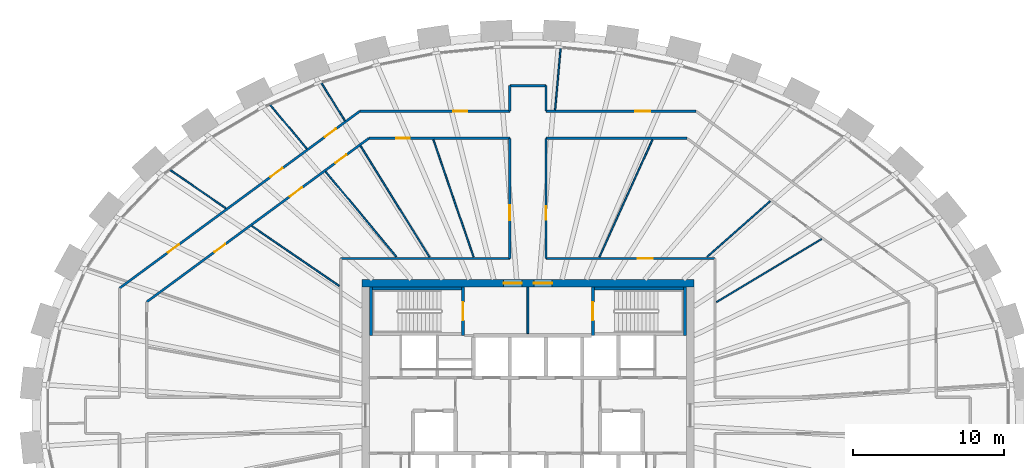
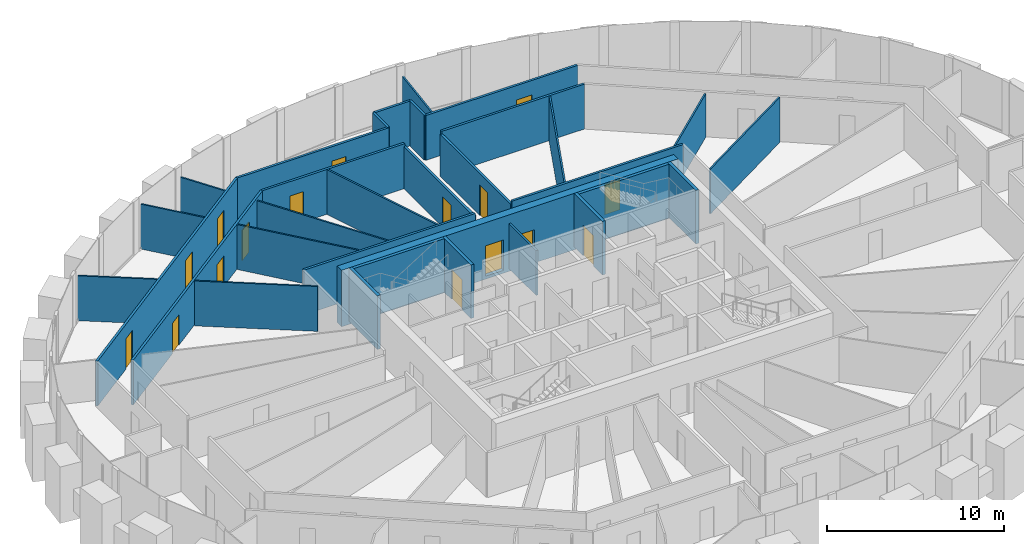
# One storey, part 10 of 12: 32 walls, 16 doors, 16 openings.
"""IFC4 building model written with IfcOpenShell, lengths in metres."""

import ifcopenshell
import ifcopenshell.guid

model = None  # the IFC model being written
_history = None  # IfcOwnerHistory: only IFC2X3 demands one
_inside = {}  # id of a spatial element -> (the spatial element, [elements in it])
_under = {}  # id of a project, library or spatial element -> (it, [spatial elements below it])
_declared = {}  # id of a project -> (the project, [libraries it declares])
_typed = {}  # id of a type object -> (the type object, [elements of that type])
_made_of = {}  # id of a material, layer set ... -> (it, [elements and type objects made of it])


def new_model(schema):
    """Start an empty IFC model of exactly this schema.

    Asked for "IFC4X3", IfcOpenShell would pick the latest addendum, in which some entities
    have other attributes; the version numbers below select the first issue.
    IFC2X3 requires an IfcOwnerHistory on every rooted entity: one is made here for all.
    """
    global model, _history
    if schema == "IFC4X3":
        model = ifcopenshell.file(schema_version=(4, 3, 0, 0))
    else:
        model = ifcopenshell.file(schema=schema)
    _inside.clear()
    _under.clear()
    _declared.clear()
    _typed.clear()
    _made_of.clear()
    _history = None
    if model.schema == "IFC2X3":
        org = make("IfcOrganization", Name="unknown")
        user = make(
            "IfcPersonAndOrganization",
            ThePerson=make("IfcPerson", FamilyName="unknown"),
            TheOrganization=org,
        )
        app = make(
            "IfcApplication",
            ApplicationDeveloper=org,
            Version="unknown",
            ApplicationFullName="unknown",
            ApplicationIdentifier="unknown",
        )
        _history = make(
            "IfcOwnerHistory",
            OwningUser=user,
            OwningApplication=app,
            ChangeAction="ADDED",
            CreationDate=0,
        )
    return model


def make(cls, **values):
    """One entity of the class cls with the attributes given. An attribute that is None is left unset."""
    return model.create_entity(
        cls, **{name: value for name, value in values.items() if value is not None}
    )


def rooted(cls, **values):
    """An entity with a GlobalId (a new one), such as an element, a storey or a relation."""
    return make(cls, GlobalId=ifcopenshell.guid.new(), OwnerHistory=_history, **values)


def si_unit(unit_type, name, prefix=None):
    """IfcSIUnit, for example si_unit("LENGTHUNIT", "METRE", prefix="MILLI")."""
    return make("IfcSIUnit", UnitType=unit_type, Prefix=prefix, Name=name)


def assignment(units):
    """IfcUnitAssignment: the units of a project."""
    return None if units is None else make("IfcUnitAssignment", Units=units)


def point(xyz):
    """IfcCartesianPoint."""
    return None if xyz is None else make("IfcCartesianPoint", Coordinates=xyz)


def direction(xyz):
    """IfcDirection."""
    return None if xyz is None else make("IfcDirection", DirectionRatios=xyz)


def frame(location, z_axis=None, x_axis=None):
    """IfcAxis2Placement3D, a coordinate frame: its origin and axes. An axis left out is left unset."""
    return make(
        "IfcAxis2Placement3D",
        Location=point(location),
        Axis=direction(z_axis),
        RefDirection=direction(x_axis),
    )


def frame_2d(location, x_axis=None):
    """IfcAxis2Placement2D, a coordinate frame in the plane: its origin and x axis."""
    return make(
        "IfcAxis2Placement2D", Location=point(location), RefDirection=direction(x_axis)
    )


def origin():
    """The frame at (0, 0, 0) with its axes left unset."""
    return frame((0.0, 0.0, 0.0))


def place(relative_to, where):
    """IfcLocalPlacement: puts the frame where relative to a parent placement (None: the world)."""
    return make(
        "IfcLocalPlacement", PlacementRelTo=relative_to, RelativePlacement=where
    )


def context(
    kind, dimensions, precision=None, world=None, true_north=None, identifier=None
):
    """IfcGeometricRepresentationContext, for example the 3D "Model" context."""
    return make(
        "IfcGeometricRepresentationContext",
        ContextIdentifier=identifier,
        ContextType=kind,
        CoordinateSpaceDimension=dimensions,
        Precision=precision,
        WorldCoordinateSystem=world,
        TrueNorth=true_north,
    )


def subcontext(parent, identifier, kind, view, scale=None):
    """IfcGeometricRepresentationSubContext, for example "Body" below "Model"."""
    return make(
        "IfcGeometricRepresentationSubContext",
        ContextIdentifier=identifier,
        ContextType=kind,
        ParentContext=parent,
        TargetScale=scale,
        TargetView=view,
    )


def project(units=None, contexts=None):
    """IfcProject with its units and contexts."""
    return rooted(
        "IfcProject",
        Name="project",
        RepresentationContexts=contexts,
        UnitsInContext=assignment(units),
    )


def spatial(cls, under=None, at=None, **own):
    """A site, building, storey or space (cls), placed at a placement, below another one or the project."""
    s = rooted(cls, ObjectPlacement=at, **own)
    if under is not None:
        _under.setdefault(under.id(), (under, []))[1].append(s)
    return s


def profile(cls, at=None, kind="AREA", **sizes):
    """A parametric profile (cls). Its sizes go by their IFC names, for example OverallWidth=200.0."""
    return make(cls, ProfileType=kind, Position=at, **sizes)


def rectangle(**sizes):
    """IfcRectangleProfileDef."""
    return profile("IfcRectangleProfileDef", **sizes)


def extrude(swept, where, along, depth):
    """IfcExtrudedAreaSolid: the profile swept, set in the frame where, extruded along a direction by depth."""
    return make(
        "IfcExtrudedAreaSolid",
        SweptArea=swept,
        Position=where,
        ExtrudedDirection=direction(along),
        Depth=depth,
    )


def shape(context_of_items, identifier, shape_type, items):
    """IfcShapeRepresentation: the items that make up one representation, for example the "Body"."""
    return make(
        "IfcShapeRepresentation",
        ContextOfItems=context_of_items,
        RepresentationIdentifier=identifier,
        RepresentationType=shape_type,
        Items=items,
    )


def source(mapping_origin, context_of_items, identifier, shape_type, items):
    """IfcRepresentationMap: a shape defined once, which mapped items show again and again."""
    return make(
        "IfcRepresentationMap",
        MappingOrigin=mapping_origin,
        MappedRepresentation=shape(context_of_items, identifier, shape_type, items),
    )


def transform(
    local_origin,
    x_axis=None,
    y_axis=None,
    z_axis=None,
    scale=None,
    scale2=None,
    scale3=None,
    uniform=True,
):
    """IfcCartesianTransformationOperator3D, or its non-uniform kind. x_axis, y_axis, z_axis: its Axis1, 2, 3."""
    if uniform:
        return make(
            "IfcCartesianTransformationOperator3D",
            Axis1=direction(x_axis),
            Axis2=direction(y_axis),
            LocalOrigin=point(local_origin),
            Scale=scale,
            Axis3=direction(z_axis),
        )
    return make(
        "IfcCartesianTransformationOperator3DnonUniform",
        Axis1=direction(x_axis),
        Axis2=direction(y_axis),
        LocalOrigin=point(local_origin),
        Scale=scale,
        Axis3=direction(z_axis),
        Scale2=scale2,
        Scale3=scale3,
    )


def mapped(mapping_source, mapping_target):
    """IfcMappedItem: shows the shape of a source again, moved by a transform."""
    return make(
        "IfcMappedItem", MappingSource=mapping_source, MappingTarget=mapping_target
    )


def material(Name=None, Category=None):
    """IfcMaterial."""
    return make("IfcMaterial", Name=Name, Category=Category)


def layer(
    of_material, thickness, ventilated=None, Name=None, Category=None, Priority=None
):
    """IfcMaterialLayer: one layer of a wall or slab, of a material (None: an air gap)."""
    return make(
        "IfcMaterialLayer",
        Material=of_material,
        LayerThickness=thickness,
        IsVentilated=ventilated,
        Name=Name,
        Category=Category,
        Priority=Priority,
    )


def layer_set(layers, Name=None):
    """IfcMaterialLayerSet."""
    return make("IfcMaterialLayerSet", MaterialLayers=layers, LayerSetName=Name)


def made_of(thing, what):
    """Note that an element or type object is made of a material, layer set ...; save() writes the relation."""
    if what is not None:
        _made_of.setdefault(what.id(), (what, []))[1].append(thing)
    return thing


def type_object(cls, material=None, **own):
    """A type object (cls), such as IfcWallType, which elements share."""
    return made_of(rooted(cls, **own), material)


def element(
    cls,
    number,
    at=None,
    inside=None,
    cuts=None,
    type_object=None,
    material=None,
    context=None,
    identifier="Body",
    shape_type=None,
    held_by="IfcProductDefinitionShape",
    body=None,
    shapes=None,
    **own,
):
    """One element of the class cls, such as IfcWall. Its Tag is "e" and its number.

    at: its placement. inside: the storey or other place that contains it. cuts: it is an
    opening in that element (IfcRelVoidsElement). A single representation is given by context,
    identifier, shape_type and body (its items); several are given by shapes. held_by: the class
    of the entity that holds the representations. save() writes the other relations.
    """
    e = rooted(cls, Tag="e%d" % number, ObjectPlacement=at, **own)
    if body is not None:
        shapes = [shape(context, identifier, shape_type, body)]
    if shapes is not None:
        e.Representation = make(held_by, Representations=shapes)
    if inside is not None:
        _inside.setdefault(inside.id(), (inside, []))[1].append(e)
    if cuts is not None:
        rooted(
            "IfcRelVoidsElement", RelatingBuildingElement=cuts, RelatedOpeningElement=e
        )
    if type_object is not None:
        _typed.setdefault(type_object.id(), (type_object, []))[1].append(e)
    return made_of(e, material)


def fill(opening, filler):
    """IfcRelFillsElement: the door or window that sits in an opening."""
    return rooted(
        "IfcRelFillsElement",
        RelatingOpeningElement=opening,
        RelatedBuildingElement=filler,
    )


def aggregate(whole, parts):
    """IfcRelAggregates: a whole, such as a stair, and the parts it consists of."""
    return rooted("IfcRelAggregates", RelatingObject=whole, RelatedObjects=parts)


def save(model, path):
    """Write the relations noted so far, then the file.

    IfcRelAggregates (storeys below a building ...), IfcRelContainedInSpatialStructure (elements
    in a storey), IfcRelDefinesByType, IfcRelAssociatesMaterial and IfcRelDeclares: one each for
    every whole, place, type object, material and project.
    """
    for whole, parts in _under.values():
        aggregate(whole, parts)
    for where, things in _inside.values():
        rooted(
            "IfcRelContainedInSpatialStructure",
            RelatedElements=things,
            RelatingStructure=where,
        )
    for kind, things in _typed.values():
        rooted("IfcRelDefinesByType", RelatedObjects=things, RelatingType=kind)
    for what, things in _made_of.values():
        rooted("IfcRelAssociatesMaterial", RelatedObjects=things, RelatingMaterial=what)
    for by, libraries in _declared.values():
        rooted("IfcRelDeclares", RelatingContext=by, RelatedDefinitions=libraries)
    model.write(path)


model = new_model("IFC4")

# Units and contexts
model_context = context("Model", 3, precision=1e-05, world=origin(), true_north=direction((0.0, 1.0)))
body_context = subcontext(model_context, "Body", "Model", "MODEL_VIEW")
ifc_project = project(units=[si_unit("LENGTHUNIT", "METRE"), si_unit("AREAUNIT", "SQUARE_METRE"), si_unit("VOLUMEUNIT", "CUBIC_METRE"), si_unit("PLANEANGLEUNIT", "RADIAN"), si_unit("MASSUNIT", "GRAM", prefix="KILO")], contexts=[model_context])

# Site, building, storey
site_placement = place(None, origin())
site = spatial("IfcSite", under=ifc_project, at=site_placement, CompositionType="ELEMENT")
building_placement = place(site_placement, origin())
building = spatial("IfcBuilding", under=site, at=building_placement, Name="Embergate Tower", CompositionType="ELEMENT")
storey_placement = place(building_placement, frame((0.0, 0.0, 261.699951171875)))
storey = spatial("IfcBuildingStorey", under=building, at=storey_placement, Name="L60", CompositionType="ELEMENT", Elevation=261.699951171875)

# Wall, openings, doors
ifc_material_1 = material(Name="Concrete C50", Category="concrete")
ifc_layer_1 = layer(ifc_material_1, 0.5)
ifc_layer_set_1 = layer_set([ifc_layer_1], Name="Concrete C50")
wall_type_1 = type_object("IfcWallType", Name="Core outer wall C50 500", PredefinedType="SHEAR", material=ifc_layer_set_1)
shared_shape_1 = source(origin(), body_context, "Body", "SweptSolid", [
    extrude(rectangle(XDim=22.0, YDim=0.5, at=frame_2d((11.0, 0.0))), origin(), (0.0, 0.0, 1.0), 3.89990234375),
])
wall_1_placement = place(storey_placement, frame((-11.0, 8.75, -0.199951171875), z_axis=(0.0, 0.0, 1.0), x_axis=(1.0, 0.0, 0.0)))
wall_1 = element("IfcWall", 1, at=wall_1_placement, inside=storey, type_object=wall_type_1, Name="CW-L60-N", PredefinedType="SHEAR", context=body_context, shape_type="MappedRepresentation", body=[
    mapped(shared_shape_1, transform((0.0, 0.0, 0.0))),
])
shared_shape_2 = source(origin(), body_context, "Body", "SweptSolid", [
    extrude(rectangle(XDim=1.199951171875, YDim=2.10009765625, at=frame_2d((0.60009765625, 1.050048828125))), frame((0.0, 0.260009765625, 0.0), z_axis=(0.0, -1.0, 0.0), x_axis=(1.0, 0.0, 0.0)), (0.0, 0.0, 1.0), 0.52001953125),
])
opening_1_placement = place(wall_1_placement, frame((9.39990234375, 0.0, 0.199951171875)))
opening_1 = element("IfcOpeningElement", 2, at=opening_1_placement, cuts=wall_1, Name="Opening IF-1", PredefinedType="OPENING", context=body_context, shape_type="MappedRepresentation", body=[
    mapped(shared_shape_2, transform((0.0, 0.0, 0.0))),
])
opening_2_placement = place(wall_1_placement, frame((11.39990234375, 0.0, 0.199951171875)))
opening_2 = element("IfcOpeningElement", 3, at=opening_2_placement, cuts=wall_1, Name="Opening IF-1", PredefinedType="OPENING", context=body_context, shape_type="MappedRepresentation", body=[
    mapped(shared_shape_2, transform((0.0, 0.0, 0.0))),
])
ifc_material_2 = material(Name="Escape fire door 1200")
door_type_1 = type_object("IfcDoorType", Name="Escape fire door 1200", OperationType="SINGLE_SWING_LEFT", PredefinedType="DOOR", material=ifc_material_2)
shared_shape_3 = source(origin(), body_context, "Body", "SweptSolid", [
    extrude(rectangle(XDim=1.199951171875, YDim=2.10009765625, at=frame_2d((0.60009765625, 1.050048828125))), frame((0.0, 0.02490234375, 0.0), z_axis=(0.0, -1.0, 0.0), x_axis=(1.0, 0.0, 0.0)), (0.0, 0.0, 1.0), 0.050048828125),
])
door_1_placement = place(opening_1_placement, origin())
door_1 = element("IfcDoor", 4, at=door_1_placement, inside=storey, type_object=door_type_1, Name="IF-1 door", OperationType="SINGLE_SWING_RIGHT", OverallHeight=2.10009765625, OverallWidth=1.199951171875, PredefinedType="DOOR", context=body_context, shape_type="MappedRepresentation", body=[
    mapped(shared_shape_3, transform((0.0, 0.0, 0.0))),
])
fill(opening_1, door_1)
door_2_placement = place(opening_2_placement, origin())
door_2 = element("IfcDoor", 5, at=door_2_placement, inside=storey, type_object=door_type_1, Name="IF-1 door", OperationType="SINGLE_SWING_LEFT", OverallHeight=2.10009765625, OverallWidth=1.199951171875, PredefinedType="DOOR", context=body_context, shape_type="MappedRepresentation", body=[
    mapped(shared_shape_3, transform((0.0, 0.0, 0.0))),
])
fill(opening_2, door_2)

# Wall, opening, door
ifc_layer_2 = layer(ifc_material_1, 0.199951171875)
ifc_layer_set_2 = layer_set([ifc_layer_2], Name="Concrete C50")
wall_type_2 = type_object("IfcWallType", Name="Stair enclosure wall reinforced concrete 250", PredefinedType="SHEAR", material=ifc_layer_set_2)
shared_shape_4 = source(origin(), body_context, "Body", "SweptSolid", [
    extrude(rectangle(XDim=3.199951171875, YDim=0.199951171875, at=frame_2d((1.60009765625, 0.0))), origin(), (0.0, 0.0, 1.0), 3.699951171875),
])
wall_2_placement = place(storey_placement, frame((-4.300048828125, 5.300048828125, 0.0), z_axis=(0.0, 0.0, 1.0), x_axis=(0.0, 1.0, 0.0)))
wall_2 = element("IfcWall", 6, at=wall_2_placement, inside=storey, type_object=wall_type_2, Name="SE-1 wall", PredefinedType="SHEAR", context=body_context, shape_type="MappedRepresentation", body=[
    mapped(shared_shape_4, transform((0.0, 0.0, 0.0))),
])
shared_shape_5 = source(origin(), body_context, "Body", "SweptSolid", [
    extrude(rectangle(XDim=1.199951171875, YDim=2.10009765625, at=frame_2d((0.60009765625, 1.050048828125))), frame((0.0, 0.10986328125, 0.0), z_axis=(0.0, -1.0, 0.0), x_axis=(1.0, 0.0, 0.0)), (0.0, 0.0, 1.0), 0.219970703125),
])
opening_3_placement = place(wall_2_placement, frame((1.0, 0.0, 0.0)))
opening_3 = element("IfcOpeningElement", 7, at=opening_3_placement, cuts=wall_2, Name="Opening IF-2", PredefinedType="OPENING", context=body_context, shape_type="MappedRepresentation", body=[
    mapped(shared_shape_5, transform((0.0, 0.0, 0.0))),
])
ifc_material_3 = material(Name="Stair enclosure door 1200")
door_type_2 = type_object("IfcDoorType", Name="Stair enclosure door 1200", OperationType="SINGLE_SWING_LEFT", PredefinedType="DOOR", material=ifc_material_3)
door_3_placement = place(opening_3_placement, origin())
door_3 = element("IfcDoor", 8, at=door_3_placement, inside=storey, type_object=door_type_2, Name="IF-2 door", OperationType="SINGLE_SWING_RIGHT", OverallHeight=2.10009765625, OverallWidth=1.199951171875, PredefinedType="DOOR", context=body_context, shape_type="MappedRepresentation", body=[
    mapped(shared_shape_3, transform((0.0, 0.0, 0.0))),
])
fill(opening_3, door_3)

wall_3_placement = place(storey_placement, frame((4.300048828125, 8.5, 0.0), z_axis=(0.0, 0.0, 1.0), x_axis=(0.0, -1.0, 0.0)))
wall_3 = element("IfcWall", 9, at=wall_3_placement, inside=storey, type_object=wall_type_2, Name="SE-1 wall", PredefinedType="SHEAR", context=body_context, shape_type="MappedRepresentation", body=[
    mapped(shared_shape_4, transform((0.0, 0.0, 0.0))),
])
opening_4_placement = place(wall_3_placement, frame((1.0, 0.0, 0.0)))
opening_4 = element("IfcOpeningElement", 10, at=opening_4_placement, cuts=wall_3, Name="Opening IF-2", PredefinedType="OPENING", context=body_context, shape_type="MappedRepresentation", body=[
    mapped(shared_shape_5, transform((0.0, 0.0, 0.0))),
])
door_4_placement = place(opening_4_placement, origin())
door_4 = element("IfcDoor", 11, at=door_4_placement, inside=storey, type_object=door_type_2, Name="IF-2 door", OperationType="SINGLE_SWING_RIGHT", OverallHeight=2.10009765625, OverallWidth=1.199951171875, PredefinedType="DOOR", context=body_context, shape_type="MappedRepresentation", body=[
    mapped(shared_shape_3, transform((0.0, 0.0, 0.0))),
])
fill(opening_4, door_4)

# Walls
shared_shape_6 = source(origin(), body_context, "Body", "SweptSolid", [
    extrude(rectangle(XDim=6.298095703125, YDim=0.199951171875, at=frame_2d((3.14892578125, 0.0))), origin(), (0.0, 0.0, 1.0), 3.699951171875),
])
for number, where, z_axis, x_axis, name in (
    (12, (-4.201904296875, 8.39990234375, 0.0), (0.0, 0.0, 1.0), (-1.0, 0.0, 0.0), "SE-1 wall"),
    (13, (10.5, 8.39990234375, 0.0), (0.0, 0.0, 1.0), (-1.0, 0.0, 0.0), "SE-1 wall"),
):
    element("IfcWall", number, at=place(storey_placement, frame(where, z_axis=z_axis, x_axis=x_axis)), inside=storey, type_object=wall_type_2, Name=name, PredefinedType="SHEAR", context=body_context, shape_type="MappedRepresentation", body=[
        mapped(shared_shape_6, transform((0.0, 0.0, 0.0))),
    ])
shared_shape_7 = source(origin(), body_context, "Body", "SweptSolid", [
    extrude(rectangle(XDim=3.197998046875, YDim=0.199951171875, at=frame_2d((1.59912109375, 0.0))), origin(), (0.0, 0.0, 1.0), 3.699951171875),
])
for number, where, z_axis, x_axis, name in (
    (14, (-10.39990234375, 8.5, 0.0), (0.0, 0.0, 1.0), (0.0, -1.0, 0.0), "SE-1 wall"),
    (15, (10.39990234375, 5.302001953125, 0.0), (0.0, 0.0, 1.0), (0.0, 1.0, 0.0), "SE-1 wall"),
):
    element("IfcWall", number, at=place(storey_placement, frame(where, z_axis=z_axis, x_axis=x_axis)), inside=storey, type_object=wall_type_2, Name=name, PredefinedType="SHEAR", context=body_context, shape_type="MappedRepresentation", body=[
        mapped(shared_shape_7, transform((0.0, 0.0, 0.0))),
    ])

# Wall, opening, door
ifc_material_4 = material(Name="Corridor wall dry-lined 150")
ifc_layer_3 = layer(ifc_material_4, 0.14990234375)
ifc_layer_set_3 = layer_set([ifc_layer_3], Name="Corridor wall dry-lined 150")
wall_type_3 = type_object("IfcWallType", Name="Corridor wall dry-lined 150", PredefinedType="PARTITIONING", material=ifc_layer_set_3)
shared_shape_8 = source(origin(), body_context, "Body", "SweptSolid", [
    extrude(rectangle(XDim=11.199951171875, YDim=0.14990234375, at=frame_2d((5.60009765625, 0.0))), origin(), (0.0, 0.0, 1.0), 3.10009765625),
])
wall_4_placement = place(storey_placement, frame((1.199951171875, 10.39990234375, 0.0), z_axis=(0.0, 0.0, 1.0), x_axis=(1.0, 0.0, 0.0)))
wall_4 = element("IfcWall", 16, at=wall_4_placement, inside=storey, type_object=wall_type_3, Name="IP-2 wall", PredefinedType="PARTITIONING", context=body_context, shape_type="MappedRepresentation", body=[
    mapped(shared_shape_8, transform((0.0, 0.0, 0.0))),
])
shared_shape_9 = source(origin(), body_context, "Body", "SweptSolid", [
    extrude(rectangle(XDim=1.0, YDim=2.10009765625, at=frame_2d((0.5, 1.050048828125))), frame((0.0, 0.0849609375, 0.0), z_axis=(0.0, -1.0, 0.0), x_axis=(1.0, 0.0, 0.0)), (0.0, 0.0, 1.0), 0.169921875),
])
opening_5_placement = place(wall_4_placement, frame((6.089111328125, 0.0, 0.0)))
opening_5 = element("IfcOpeningElement", 17, at=opening_5_placement, cuts=wall_4, Name="Opening ID-2", PredefinedType="OPENING", context=body_context, shape_type="MappedRepresentation", body=[
    mapped(shared_shape_9, transform((0.0, 0.0, 0.0))),
])
ifc_material_5 = material(Name="Interior door 1000")
door_type_3 = type_object("IfcDoorType", Name="Interior door 1000", OperationType="SINGLE_SWING_LEFT", PredefinedType="DOOR", material=ifc_material_5)
shared_shape_10 = source(origin(), body_context, "Body", "SweptSolid", [
    extrude(rectangle(XDim=1.0, YDim=2.10009765625, at=frame_2d((0.5, 1.050048828125))), frame((0.0, 0.02490234375, 0.0), z_axis=(0.0, -1.0, 0.0), x_axis=(1.0, 0.0, 0.0)), (0.0, 0.0, 1.0), 0.050048828125),
])
door_5_placement = place(opening_5_placement, origin())
door_5 = element("IfcDoor", 18, at=door_5_placement, inside=storey, type_object=door_type_3, Name="ID-2 door", OperationType="SINGLE_SWING_LEFT", OverallHeight=2.10009765625, OverallWidth=1.0, PredefinedType="DOOR", context=body_context, shape_type="MappedRepresentation", body=[
    mapped(shared_shape_10, transform((0.0, 0.0, 0.0))),
])
fill(opening_5, door_5)

# Walls
wall_5_placement = place(storey_placement, frame((-12.39990234375, 10.39990234375, 0.0), z_axis=(0.0, 0.0, 1.0), x_axis=(1.0, 0.0, 0.0)))
element("IfcWall", 19, at=wall_5_placement, inside=storey, type_object=wall_type_3, Name="IP-2 wall", PredefinedType="PARTITIONING", context=body_context, shape_type="MappedRepresentation", body=[
    mapped(shared_shape_8, transform((0.0, 0.0, 0.0))),
])
shared_shape_11 = source(origin(), body_context, "Body", "SweptSolid", [
    extrude(rectangle(XDim=2.39990234375, YDim=0.14990234375, at=frame_2d((1.199951171875, 0.0))), origin(), (0.0, 0.0, 1.0), 3.10009765625),
])
wall_6_placement = place(storey_placement, frame((-1.199951171875, 21.845947265625, 0.0), z_axis=(0.0, 0.0, 1.0), x_axis=(1.0, 0.0, 0.0)))
element("IfcWall", 20, at=wall_6_placement, inside=storey, type_object=wall_type_3, Name="IP-2 wall", PredefinedType="PARTITIONING", context=body_context, shape_type="MappedRepresentation", body=[
    mapped(shared_shape_11, transform((0.0, 0.0, 0.0))),
])
ifc_material_6 = material(Name="Core partition blockwork 120")
ifc_layer_4 = layer(ifc_material_6, 0.1201171875)
ifc_layer_set_4 = layer_set([ifc_layer_4], Name="Core partition blockwork 120")
wall_type_4 = type_object("IfcWallType", Name="Core partition blockwork 120", PredefinedType="PARTITIONING", material=ifc_layer_set_4)
shared_shape_12 = source(origin(), body_context, "Body", "SweptSolid", [
    extrude(rectangle(XDim=3.074951171875, YDim=0.1201171875, at=frame_2d((1.53759765625, 0.0))), origin(), (0.0, 0.0, 1.0), 3.10009765625),
])
wall_7_placement = place(storey_placement, frame((0.0, 5.425048828125, 0.0), z_axis=(0.0, 0.0, 1.0), x_axis=(0.0, 1.0, 0.0)))
element("IfcWall", 21, at=wall_7_placement, inside=storey, type_object=wall_type_4, Name="IP-3 wall", PredefinedType="PARTITIONING", context=body_context, shape_type="MappedRepresentation", body=[
    mapped(shared_shape_12, transform((0.0, 0.0, 0.0))),
])
ifc_material_7 = material(Name="Partition dry-lined 100")
ifc_layer_5 = layer(ifc_material_7, 0.10009765625)
ifc_layer_set_5 = layer_set([ifc_layer_5], Name="Partition dry-lined 100")
wall_type_5 = type_object("IfcWallType", Name="Partition dry-lined 100", PredefinedType="PARTITIONING", material=ifc_layer_set_5)
shared_shape_13 = source(origin(), body_context, "Body", "SweptSolid", [
    extrude(rectangle(XDim=5.559814453125, YDim=0.10009765625, at=frame_2d((2.77978515625, 0.0))), origin(), (0.0, 0.0, 1.0), 3.0),
])
wall_8_placement = place(storey_placement, frame((11.8779296875, 10.511962890625, 0.0), z_axis=(0.0, 0.0, 1.0), x_axis=(0.748788663008, 0.662808824738, 0.0)))
element("IfcWall", 22, at=wall_8_placement, inside=storey, type_object=wall_type_5, Name="IP-1 wall", PredefinedType="PARTITIONING", context=body_context, shape_type="MappedRepresentation", body=[
    mapped(shared_shape_13, transform((0.0, 0.0, 0.0))),
])

# Wall, openings, doors
shared_shape_14 = source(origin(), body_context, "Body", "SweptSolid", [
    extrude(rectangle(XDim=19.77294921875, YDim=0.14990234375, at=frame_2d((9.886474609375, 0.0))), origin(), (0.0, 0.0, 1.0), 3.10009765625),
])
wall_9_placement = place(storey_placement, frame((-27.0458984375, 8.431884765625, 0.0), z_axis=(0.0, 0.0, 1.0), x_axis=(0.805138380898, 0.593086998344, 0.0)))
wall_9 = element("IfcWall", 23, at=wall_9_placement, inside=storey, type_object=wall_type_3, Name="IP-2 wall", PredefinedType="PARTITIONING", context=body_context, shape_type="MappedRepresentation", body=[
    mapped(shared_shape_14, transform((0.0, 0.0, 0.0))),
])
shared_shape_15 = source(origin(), body_context, "Body", "SweptSolid", [
    extrude(rectangle(XDim=0.89990234375, YDim=2.10009765625, at=frame_2d((0.449951171875, 1.050048828125))), frame((0.0, 0.0849609375, 0.0), z_axis=(0.0, -1.0, 0.0), x_axis=(1.0, 0.0, 0.0)), (0.0, 0.0, 1.0), 0.169921875),
])
opening_6_placement = place(wall_9_placement, frame((16.898193359375, 0.0, 0.0)))
opening_6 = element("IfcOpeningElement", 24, at=opening_6_placement, cuts=wall_9, Name="Opening IF-1c", PredefinedType="OPENING", context=body_context, shape_type="MappedRepresentation", body=[
    mapped(shared_shape_15, transform((0.0, 0.0, 0.0))),
])
opening_7_placement = place(wall_9_placement, frame((12.401611328125, 0.0, 0.0)))
opening_7 = element("IfcOpeningElement", 25, at=opening_7_placement, cuts=wall_9, Name="Opening ID-2", PredefinedType="OPENING", context=body_context, shape_type="MappedRepresentation", body=[
    mapped(shared_shape_9, transform((0.0, 0.0, 0.0))),
])
opening_8_placement = place(wall_9_placement, frame((3.98876953125, 0.0, 0.0)))
opening_8 = element("IfcOpeningElement", 26, at=opening_8_placement, cuts=wall_9, Name="Opening IF-1c", PredefinedType="OPENING", context=body_context, shape_type="MappedRepresentation", body=[
    mapped(shared_shape_15, transform((0.0, 0.0, 0.0))),
])
ifc_material_8 = material(Name="Escape fire door 900")
door_type_4 = type_object("IfcDoorType", Name="Escape fire door 900", OperationType="SINGLE_SWING_LEFT", PredefinedType="DOOR", material=ifc_material_8)
shared_shape_16 = source(origin(), body_context, "Body", "SweptSolid", [
    extrude(rectangle(XDim=0.89990234375, YDim=2.10009765625, at=frame_2d((0.449951171875, 1.050048828125))), frame((0.0, 0.02490234375, 0.0), z_axis=(0.0, -1.0, 0.0), x_axis=(1.0, 0.0, 0.0)), (0.0, 0.0, 1.0), 0.050048828125),
])
door_6_placement = place(opening_6_placement, origin())
door_6 = element("IfcDoor", 27, at=door_6_placement, inside=storey, type_object=door_type_4, Name="IF-1 door", OperationType="SINGLE_SWING_RIGHT", OverallHeight=2.10009765625, OverallWidth=0.89990234375, PredefinedType="DOOR", context=body_context, shape_type="MappedRepresentation", body=[
    mapped(shared_shape_16, transform((0.0, 0.0, 0.0))),
])
fill(opening_6, door_6)
door_7_placement = place(opening_8_placement, origin())
door_7 = element("IfcDoor", 28, at=door_7_placement, inside=storey, type_object=door_type_4, Name="IF-1 door", OperationType="SINGLE_SWING_RIGHT", OverallHeight=2.10009765625, OverallWidth=0.89990234375, PredefinedType="DOOR", context=body_context, shape_type="MappedRepresentation", body=[
    mapped(shared_shape_16, transform((0.0, 0.0, 0.0))),
])
fill(opening_8, door_7)
door_8_placement = place(opening_7_placement, origin())
door_8 = element("IfcDoor", 29, at=door_8_placement, inside=storey, type_object=door_type_3, Name="ID-2 door", OperationType="SINGLE_SWING_RIGHT", OverallHeight=2.10009765625, OverallWidth=1.0, PredefinedType="DOOR", context=body_context, shape_type="MappedRepresentation", body=[
    mapped(shared_shape_10, transform((0.0, 0.0, 0.0))),
])
fill(opening_7, door_8)

shared_shape_17 = source(origin(), body_context, "Body", "SweptSolid", [
    extrude(rectangle(XDim=18.27197265625, YDim=0.14990234375, at=frame_2d((9.135986328125, 0.0))), origin(), (0.0, 0.0, 1.0), 3.10009765625),
])
wall_10_placement = place(storey_placement, frame((-25.24609375, 7.52294921875, 0.0), z_axis=(0.0, 0.0, 1.0), x_axis=(0.805176050135, 0.593035857507, 0.0)))
wall_10 = element("IfcWall", 30, at=wall_10_placement, inside=storey, type_object=wall_type_3, Name="IP-2 wall", PredefinedType="PARTITIONING", context=body_context, shape_type="MappedRepresentation", body=[
    mapped(shared_shape_17, transform((0.0, 0.0, 0.0))),
])
opening_9_placement = place(wall_10_placement, frame((15.531982421875, 0.0, 0.0)))
opening_9 = element("IfcOpeningElement", 31, at=opening_9_placement, cuts=wall_10, Name="Opening IF-1c", PredefinedType="OPENING", context=body_context, shape_type="MappedRepresentation", body=[
    mapped(shared_shape_15, transform((0.0, 0.0, 0.0))),
])
opening_10_placement = place(wall_10_placement, frame((11.779296875, 0.0, 0.0)))
opening_10 = element("IfcOpeningElement", 32, at=opening_10_placement, cuts=wall_10, Name="Opening ID-2", PredefinedType="OPENING", context=body_context, shape_type="MappedRepresentation", body=[
    mapped(shared_shape_9, transform((0.0, 0.0, 0.0))),
])
opening_11_placement = place(wall_10_placement, frame((5.5576171875, 0.0, 0.0)))
opening_11 = element("IfcOpeningElement", 33, at=opening_11_placement, cuts=wall_10, Name="Opening IF-1c", PredefinedType="OPENING", context=body_context, shape_type="MappedRepresentation", body=[
    mapped(shared_shape_15, transform((0.0, 0.0, 0.0))),
])
door_9_placement = place(opening_9_placement, origin())
door_9 = element("IfcDoor", 34, at=door_9_placement, inside=storey, type_object=door_type_4, Name="IF-1 door", OperationType="SINGLE_SWING_LEFT", OverallHeight=2.10009765625, OverallWidth=0.89990234375, PredefinedType="DOOR", context=body_context, shape_type="MappedRepresentation", body=[
    mapped(shared_shape_16, transform((0.0, 0.0, 0.0))),
])
fill(opening_9, door_9)
door_10_placement = place(opening_11_placement, origin())
door_10 = element("IfcDoor", 35, at=door_10_placement, inside=storey, type_object=door_type_4, Name="IF-1 door", OperationType="SINGLE_SWING_RIGHT", OverallHeight=2.10009765625, OverallWidth=0.89990234375, PredefinedType="DOOR", context=body_context, shape_type="MappedRepresentation", body=[
    mapped(shared_shape_16, transform((0.0, 0.0, 0.0))),
])
fill(opening_11, door_10)
door_11_placement = place(opening_10_placement, origin())
door_11 = element("IfcDoor", 36, at=door_11_placement, inside=storey, type_object=door_type_3, Name="ID-2 door", OperationType="SINGLE_SWING_LEFT", OverallHeight=2.10009765625, OverallWidth=1.0, PredefinedType="DOOR", context=body_context, shape_type="MappedRepresentation", body=[
    mapped(shared_shape_10, transform((0.0, 0.0, 0.0))),
])
fill(opening_10, door_11)

# Wall, opening, door
shared_shape_18 = source(origin(), body_context, "Body", "SweptSolid", [
    extrude(rectangle(XDim=9.926025390625, YDim=0.14990234375, at=frame_2d((4.962890625, 0.0))), origin(), (0.0, 0.0, 1.0), 3.10009765625),
])
wall_11_placement = place(storey_placement, frame((1.199951171875, 20.158935546875, 0.0), z_axis=(0.0, 0.0, 1.0), x_axis=(1.0, 0.0, 0.0)))
wall_11 = element("IfcWall", 37, at=wall_11_placement, inside=storey, type_object=wall_type_3, Name="IP-2 wall", PredefinedType="PARTITIONING", context=body_context, shape_type="MappedRepresentation", body=[
    mapped(shared_shape_18, transform((0.0, 0.0, 0.0))),
])
opening_12_placement = place(wall_11_placement, frame((5.9208984375, 0.0, 0.0)))
opening_12 = element("IfcOpeningElement", 38, at=opening_12_placement, cuts=wall_11, Name="Opening ID-2", PredefinedType="OPENING", context=body_context, shape_type="MappedRepresentation", body=[
    mapped(shared_shape_9, transform((0.0, 0.0, 0.0))),
])
door_12_placement = place(opening_12_placement, origin())
door_12 = element("IfcDoor", 39, at=door_12_placement, inside=storey, type_object=door_type_3, Name="ID-2 door", OperationType="SINGLE_SWING_RIGHT", OverallHeight=2.10009765625, OverallWidth=1.0, PredefinedType="DOOR", context=body_context, shape_type="MappedRepresentation", body=[
    mapped(shared_shape_10, transform((0.0, 0.0, 0.0))),
])
fill(opening_12, door_12)

wall_12_placement = place(storey_placement, frame((-11.1259765625, 20.158935546875, 0.0), z_axis=(0.0, 0.0, 1.0), x_axis=(1.0, 0.0, 0.0)))
wall_12 = element("IfcWall", 40, at=wall_12_placement, inside=storey, type_object=wall_type_3, Name="IP-2 wall", PredefinedType="PARTITIONING", context=body_context, shape_type="MappedRepresentation", body=[
    mapped(shared_shape_18, transform((0.0, 0.0, 0.0))),
])
opening_13_placement = place(wall_12_placement, frame((6.197509765625, 0.0, 0.0)))
opening_13 = element("IfcOpeningElement", 41, at=opening_13_placement, cuts=wall_12, Name="Opening IF-1c", PredefinedType="OPENING", context=body_context, shape_type="MappedRepresentation", body=[
    mapped(shared_shape_15, transform((0.0, 0.0, 0.0))),
])
door_13_placement = place(opening_13_placement, origin())
door_13 = element("IfcDoor", 42, at=door_13_placement, inside=storey, type_object=door_type_4, Name="IF-1 door", OperationType="SINGLE_SWING_LEFT", OverallHeight=2.10009765625, OverallWidth=0.89990234375, PredefinedType="DOOR", context=body_context, shape_type="MappedRepresentation", body=[
    mapped(shared_shape_16, transform((0.0, 0.0, 0.0))),
])
fill(opening_13, door_13)

# Walls
shared_shape_19 = source(origin(), body_context, "Body", "SweptSolid", [
    extrude(rectangle(XDim=1.68701171875, YDim=0.14990234375, at=frame_2d((0.843505859375, 0.0))), origin(), (0.0, 0.0, 1.0), 3.10009765625),
])
for number, where, z_axis, x_axis, name in (
    (43, (-1.199951171875, 20.158935546875, 0.0), (0.0, 0.0, 1.0), (0.0, 1.0, 0.0), "IP-2 wall"),
    (44, (1.199951171875, 21.845947265625, 0.0), (0.0, 0.0, 1.0), (0.0, -1.0, 0.0), "IP-2 wall"),
):
    element("IfcWall", number, at=place(storey_placement, frame(where, z_axis=z_axis, x_axis=x_axis)), inside=storey, type_object=wall_type_3, Name=name, PredefinedType="PARTITIONING", context=body_context, shape_type="MappedRepresentation", body=[
        mapped(shared_shape_19, transform((0.0, 0.0, 0.0))),
    ])

# Wall, opening, door
shared_shape_20 = source(origin(), body_context, "Body", "SweptSolid", [
    extrude(rectangle(XDim=9.333984375, YDim=0.14990234375, at=frame_2d((4.6669921875, 0.0))), origin(), (0.0, 0.0, 1.0), 3.10009765625),
])
wall_13_placement = place(storey_placement, frame((-1.199951171875, 18.35888671875, 0.0), z_axis=(0.0, 0.0, 1.0), x_axis=(-1.0, 0.0, 0.0)))
wall_13 = element("IfcWall", 45, at=wall_13_placement, inside=storey, type_object=wall_type_3, Name="IP-2 wall", PredefinedType="PARTITIONING", context=body_context, shape_type="MappedRepresentation", body=[
    mapped(shared_shape_20, transform((0.0, 0.0, 0.0))),
])
opening_14_placement = place(wall_13_placement, frame((6.6240234375, 0.0, 0.0)))
opening_14 = element("IfcOpeningElement", 46, at=opening_14_placement, cuts=wall_13, Name="Opening IF-1c", PredefinedType="OPENING", context=body_context, shape_type="MappedRepresentation", body=[
    mapped(shared_shape_15, transform((0.0, 0.0, 0.0))),
])
door_14_placement = place(opening_14_placement, origin())
door_14 = element("IfcDoor", 47, at=door_14_placement, inside=storey, type_object=door_type_4, Name="IF-1 door", OperationType="SINGLE_SWING_LEFT", OverallHeight=2.10009765625, OverallWidth=0.89990234375, PredefinedType="DOOR", context=body_context, shape_type="MappedRepresentation", body=[
    mapped(shared_shape_16, transform((0.0, 0.0, 0.0))),
])
fill(opening_14, door_14)

# Wall
wall_14_placement = place(storey_placement, frame((10.533935546875, 18.35888671875, 0.0), z_axis=(0.0, 0.0, 1.0), x_axis=(-1.0, 0.0, 0.0)))
element("IfcWall", 48, at=wall_14_placement, inside=storey, type_object=wall_type_3, Name="IP-2 wall", PredefinedType="PARTITIONING", context=body_context, shape_type="MappedRepresentation", body=[
    mapped(shared_shape_20, transform((0.0, 0.0, 0.0))),
])

# Wall, opening, door
shared_shape_21 = source(origin(), body_context, "Body", "SweptSolid", [
    extrude(rectangle(XDim=7.958984375, YDim=0.14990234375, at=frame_2d((3.9794921875, 0.0))), origin(), (0.0, 0.0, 1.0), 2.900146484375),
])
wall_15_placement = place(storey_placement, frame((-1.199951171875, 10.39990234375, 0.0), z_axis=(0.0, 0.0, 1.0), x_axis=(0.0, 1.0, 0.0)))
wall_15 = element("IfcWall", 49, at=wall_15_placement, inside=storey, type_object=wall_type_3, Name="IP-2 wall", PredefinedType="PARTITIONING", context=body_context, shape_type="MappedRepresentation", body=[
    mapped(shared_shape_21, transform((0.0, 0.0, 0.0))),
])
opening_15_placement = place(wall_15_placement, frame((2.52587890625, 0.0, 0.0)))
opening_15 = element("IfcOpeningElement", 50, at=opening_15_placement, cuts=wall_15, Name="Opening ID-2", PredefinedType="OPENING", context=body_context, shape_type="MappedRepresentation", body=[
    mapped(shared_shape_9, transform((0.0, 0.0, 0.0))),
])
door_15_placement = place(opening_15_placement, origin())
door_15 = element("IfcDoor", 51, at=door_15_placement, inside=storey, type_object=door_type_3, Name="ID-2 door", OperationType="SINGLE_SWING_LEFT", OverallHeight=2.10009765625, OverallWidth=1.0, PredefinedType="DOOR", context=body_context, shape_type="MappedRepresentation", body=[
    mapped(shared_shape_10, transform((0.0, 0.0, 0.0))),
])
fill(opening_15, door_15)

wall_16_placement = place(storey_placement, frame((1.199951171875, 18.35888671875, 0.0), z_axis=(0.0, 0.0, 1.0), x_axis=(0.0, -1.0, 0.0)))
wall_16 = element("IfcWall", 52, at=wall_16_placement, inside=storey, type_object=wall_type_3, Name="IP-2 wall", PredefinedType="PARTITIONING", context=body_context, shape_type="MappedRepresentation", body=[
    mapped(shared_shape_21, transform((0.0, 0.0, 0.0))),
])
opening_16_placement = place(wall_16_placement, frame((4.498291015625, 0.0, 0.0)))
opening_16 = element("IfcOpeningElement", 53, at=opening_16_placement, cuts=wall_16, Name="Opening IF-1c", PredefinedType="OPENING", context=body_context, shape_type="MappedRepresentation", body=[
    mapped(shared_shape_15, transform((0.0, 0.0, 0.0))),
])
door_16_placement = place(opening_16_placement, origin())
door_16 = element("IfcDoor", 54, at=door_16_placement, inside=storey, type_object=door_type_4, Name="IF-1 door", OperationType="SINGLE_SWING_RIGHT", OverallHeight=2.10009765625, OverallWidth=0.89990234375, PredefinedType="DOOR", context=body_context, shape_type="MappedRepresentation", body=[
    mapped(shared_shape_16, transform((0.0, 0.0, 0.0))),
])
fill(opening_16, door_16)

# Walls
shared_shape_22 = source(origin(), body_context, "Body", "SweptSolid", [
    extrude(rectangle(XDim=3.001953125, YDim=0.10009765625, at=frame_2d((1.5009765625, 0.0))), origin(), (0.0, 0.0, 1.0), 2.900146484375),
])
wall_17_placement = place(storey_placement, frame((-12.12109375, 19.51904296875, 0.0), z_axis=(0.0, 0.0, 1.0), x_axis=(-0.527650303737, 0.84946168658, 0.0)))
element("IfcWall", 55, at=wall_17_placement, inside=storey, type_object=wall_type_5, Name="IP-1 wall", PredefinedType="PARTITIONING", context=body_context, shape_type="MappedRepresentation", body=[
    mapped(shared_shape_22, transform((0.0, 0.0, 0.0))),
])
shared_shape_23 = source(origin(), body_context, "Body", "SweptSolid", [
    extrude(rectangle(XDim=8.658935546875, YDim=0.10009765625, at=frame_2d((4.32958984375, 0.0))), origin(), (0.0, 0.0, 1.0), 2.900146484375),
])
wall_18_placement = place(storey_placement, frame((-6.52099609375, 10.5009765625, 0.0), z_axis=(0.0, 0.0, 1.0), x_axis=(-0.527558664612, 0.849518602146, 0.0)))
element("IfcWall", 56, at=wall_18_placement, inside=storey, type_object=wall_type_5, Name="IP-1 wall", PredefinedType="PARTITIONING", context=body_context, shape_type="MappedRepresentation", body=[
    mapped(shared_shape_23, transform((0.0, 0.0, 0.0))),
])
shared_shape_24 = source(origin(), body_context, "Body", "SweptSolid", [
    extrude(rectangle(XDim=8.101318359375, YDim=0.10009765625, at=frame_2d((4.05078125, 0.0))), origin(), (0.0, 0.0, 1.0), 3.10009765625),
])
wall_19_placement = place(storey_placement, frame((12.5009765625, 7.507080078125, 0.0), z_axis=(0.0, 0.0, 1.0), x_axis=(0.857282787612, 0.514845823586, 0.0)))
element("IfcWall", 57, at=wall_19_placement, inside=storey, type_object=wall_type_5, Name="IP-1 wall", PredefinedType="PARTITIONING", context=body_context, shape_type="MappedRepresentation", body=[
    mapped(shared_shape_24, transform((0.0, 0.0, 0.0))),
])
shared_shape_25 = source(origin(), body_context, "Body", "SweptSolid", [
    extrude(rectangle(XDim=4.169677734375, YDim=0.10009765625, at=frame_2d((2.0849609375, 0.0))), origin(), (0.0, 0.0, 1.0), 2.900146484375),
])
wall_20_placement = place(storey_placement, frame((1.802978515625, 20.23388671875, 0.0), z_axis=(0.0, 0.0, 1.0), x_axis=(0.088999362653, 0.996031682954, 0.0)))
element("IfcWall", 58, at=wall_20_placement, inside=storey, type_object=wall_type_5, Name="IP-1 wall", PredefinedType="PARTITIONING", context=body_context, shape_type="MappedRepresentation", body=[
    mapped(shared_shape_25, transform((0.0, 0.0, 0.0))),
])
shared_shape_26 = source(origin(), body_context, "Body", "SweptSolid", [
    extrude(rectangle(XDim=8.221435546875, YDim=0.10009765625, at=frame_2d((4.11083984375, 0.0))), origin(), (0.0, 0.0, 1.0), 3.10009765625),
])
wall_21_placement = place(storey_placement, frame((-3.595947265625, 10.490966796875, 0.0), z_axis=(0.0, 0.0, 1.0), x_axis=(-0.3242787715, 0.945961562832, 0.0)))
element("IfcWall", 59, at=wall_21_placement, inside=storey, type_object=wall_type_5, Name="IP-1 wall", PredefinedType="PARTITIONING", context=body_context, shape_type="MappedRepresentation", body=[
    mapped(shared_shape_26, transform((0.0, 0.0, 0.0))),
])
shared_shape_27 = source(origin(), body_context, "Body", "SweptSolid", [
    extrude(rectangle(XDim=8.52392578125, YDim=0.10009765625, at=frame_2d((4.261962890625, 0.0))), origin(), (0.0, 0.0, 1.0), 3.10009765625),
])
wall_22_placement = place(storey_placement, frame((4.741943359375, 10.49609375, 0.0), z_axis=(0.0, 0.0, 1.0), x_axis=(0.411777796505, 0.911284284022, 0.0)))
element("IfcWall", 60, at=wall_22_placement, inside=storey, type_object=wall_type_5, Name="IP-1 wall", PredefinedType="PARTITIONING", context=body_context, shape_type="MappedRepresentation", body=[
    mapped(shared_shape_27, transform((0.0, 0.0, 0.0))),
])
shared_shape_28 = source(origin(), body_context, "Body", "SweptSolid", [
    extrude(rectangle(XDim=3.853515625, YDim=0.10009765625, at=frame_2d((1.9267578125, 0.0))), origin(), (0.0, 0.0, 1.0), 3.10009765625),
])
wall_23_placement = place(storey_placement, frame((-14.64697265625, 17.657958984375, 0.0), z_axis=(0.0, 0.0, 1.0), x_axis=(-0.638381649622, 0.76971999417, 0.0)))
element("IfcWall", 61, at=wall_23_placement, inside=storey, type_object=wall_type_5, Name="IP-1 wall", PredefinedType="PARTITIONING", context=body_context, shape_type="MappedRepresentation", body=[
    mapped(shared_shape_28, transform((0.0, 0.0, 0.0))),
])
shared_shape_29 = source(origin(), body_context, "Body", "SweptSolid", [
    extrude(rectangle(XDim=4.545166015625, YDim=0.10009765625, at=frame_2d((2.2724609375, 0.0))), origin(), (0.0, 0.0, 1.0), 3.10009765625),
])
wall_24_placement = place(storey_placement, frame((-20.010009765625, 13.72802734375, 0.0), z_axis=(0.0, 0.0, 1.0), x_axis=(-0.824630774754, 0.56567135806, 0.0)))
element("IfcWall", 62, at=wall_24_placement, inside=storey, type_object=wall_type_5, Name="IP-1 wall", PredefinedType="PARTITIONING", context=body_context, shape_type="MappedRepresentation", body=[
    mapped(shared_shape_29, transform((0.0, 0.0, 0.0))),
])
shared_shape_30 = source(origin(), body_context, "Body", "SweptSolid", [
    extrude(rectangle(XDim=7.338134765625, YDim=0.10009765625, at=frame_2d((3.6689453125, 0.0))), origin(), (0.0, 0.0, 1.0), 3.10009765625),
])
wall_25_placement = place(storey_placement, frame((-8.715087890625, 10.507080078125, 0.0), z_axis=(0.0, 0.0, 1.0), x_axis=(-0.63842866365, 0.769680999785, 0.0)))
element("IfcWall", 63, at=wall_25_placement, inside=storey, type_object=wall_type_5, Name="IP-1 wall", PredefinedType="PARTITIONING", context=body_context, shape_type="MappedRepresentation", body=[
    mapped(shared_shape_30, transform((0.0, 0.0, 0.0))),
])
shared_shape_31 = source(origin(), body_context, "Body", "SweptSolid", [
    extrude(rectangle(XDim=7.0048828125, YDim=0.10009765625, at=frame_2d((3.50244140625, 0.0))), origin(), (0.0, 0.0, 1.0), 3.10009765625),
])
wall_26_placement = place(storey_placement, frame((-12.5029296875, 8.577880859375, 0.0), z_axis=(0.0, 0.0, 1.0), x_axis=(-0.824571374803, 0.565757941045, 0.0)))
element("IfcWall", 64, at=wall_26_placement, inside=storey, type_object=wall_type_5, Name="IP-1 wall", PredefinedType="PARTITIONING", context=body_context, shape_type="MappedRepresentation", body=[
    mapped(shared_shape_31, transform((0.0, 0.0, 0.0))),
])

save(model, "model.ifc")
